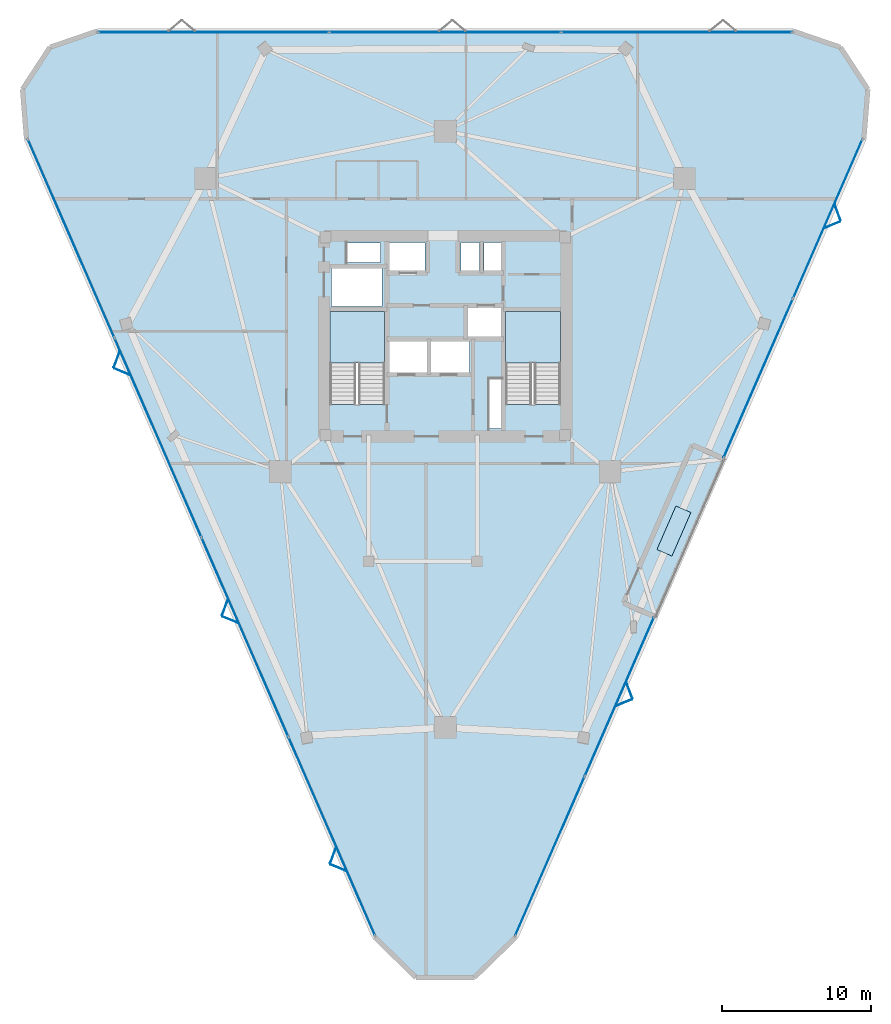
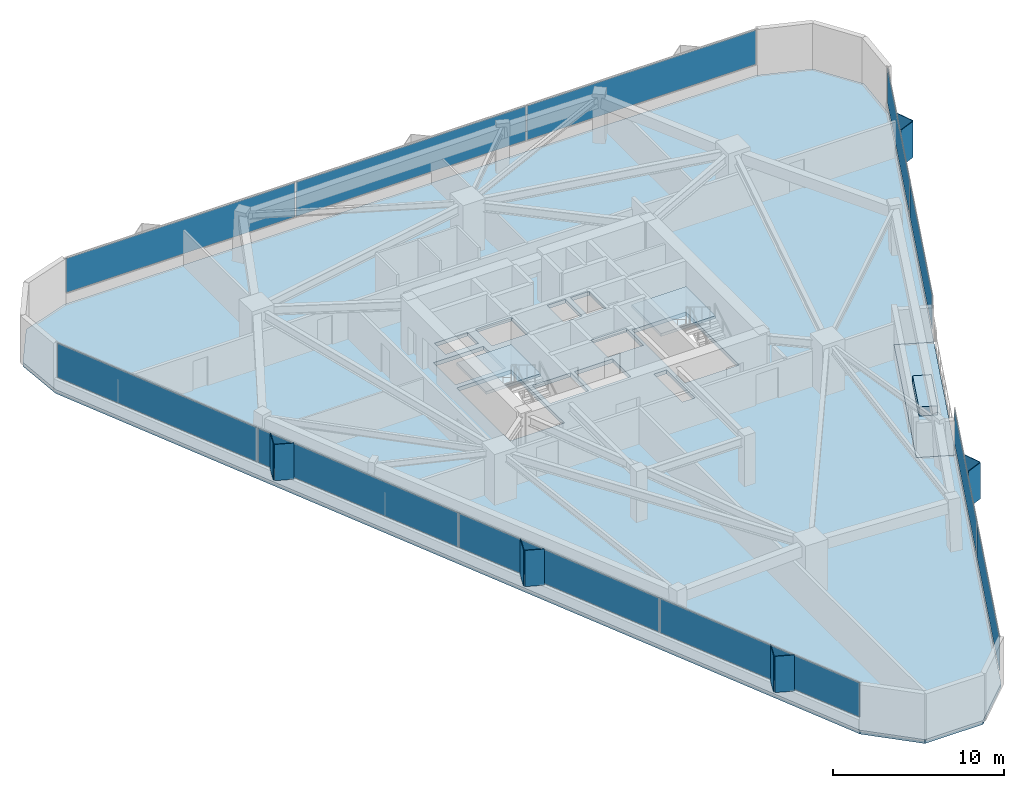
# One storey, part 8 of 11: 22 plates, 4 slabs, 6 elements without a shape of their own.
"""IFC4 building model written with IfcOpenShell, lengths in metres."""

from ifc_helpers import new_model, si_unit, direction, frame, origin, origin_2d, place, context, subcontext, project, spatial, polyline, rectangle, outline, extrude, material, layer, layer_set, type_object, element, aggregate, save


model = new_model("IFC4")

# Units and contexts
model_context = context("Model", 3, precision=1e-05, world=origin(), true_north=direction((0.0, 1.0)))
body_context = subcontext(model_context, "Body", "Model", "MODEL_VIEW")
ifc_project = project(units=[si_unit("LENGTHUNIT", "METRE"), si_unit("AREAUNIT", "SQUARE_METRE"), si_unit("VOLUMEUNIT", "CUBIC_METRE"), si_unit("PLANEANGLEUNIT", "RADIAN"), si_unit("MASSUNIT", "GRAM", prefix="KILO")], contexts=[model_context])

# Site, building, storey
site_placement = place(None, origin())
site = spatial("IfcSite", under=ifc_project, at=site_placement, CompositionType="ELEMENT")
building_placement = place(site_placement, origin())
building = spatial("IfcBuilding", under=site, at=building_placement, Name="Talyreon Biosciences Tower", CompositionType="ELEMENT")
storey_placement = place(building_placement, frame((0.0, 0.0, 149.10009765625)))
storey = spatial("IfcBuildingStorey", under=building, at=storey_placement, Name="L39", CompositionType="ELEMENT", Elevation=149.10009765625)

# Curtain wall, plates
ifc_material_1 = material(Name="Thermally broken aluminium and low-E glazing", Category="aluminium")
ifc_layer_1 = layer(ifc_material_1, 0.205078125)
ifc_layer_set_1 = layer_set([ifc_layer_1], Name="Thermally broken aluminium and low-E glazing")
curtain_wall_type = type_object("IfcCurtainWallType", Name="CurtainWall_SkyGardenLoggia", PredefinedType="NOTDEFINED", material=ifc_layer_set_1)
curtain_wall_1_placement = place(storey_placement, origin())
curtain_wall_1 = element("IfcCurtainWall", 1, at=curtain_wall_1_placement, inside=storey, type_object=curtain_wall_type, Name="L39 Unitised Curtain Wall FCW-L39-03", PredefinedType="NOTDEFINED")
ifc_material_2 = material(Name="Acoustic laminated low-E insulated glazing", Category="glass")
ifc_layer_2 = layer(ifc_material_2, 0.0380859375)
ifc_layer_set_2 = layer_set([ifc_layer_2], Name="Acoustic laminated low-E insulated glazing")
plate_type_1 = type_object("IfcPlateType", Name="CWGlazingPanel_38", PredefinedType="CURTAIN_PANEL", material=ifc_layer_set_2)
plate_1_placement = place(storey_placement, frame((50.423828125, 88.439453125, 0.874755859375), z_axis=(0.0, 0.0, 1.0), x_axis=(1.0, 0.0, 0.0)))
plate_1 = element("IfcPlate", 2, at=plate_1_placement, type_object=plate_type_1, Name="CW7 panel 1.1", PredefinedType="CURTAIN_PANEL", context=body_context, shape_type="SweptSolid", body=[
    extrude(rectangle(XDim=15.482421875, YDim=0.0380859375, at=origin_2d()), origin(), (0.0, 0.0, 1.0), 2.43505859375),
])
plate_2_placement = place(storey_placement, frame((66.0, 88.439453125, 0.874755859375), z_axis=(0.0, 0.0, 1.0), x_axis=(1.0, 0.0, 0.0)))
plate_2 = element("IfcPlate", 3, at=plate_2_placement, type_object=plate_type_1, Name="CW7 panel 2.1", PredefinedType="CURTAIN_PANEL", context=body_context, shape_type="SweptSolid", body=[
    extrude(rectangle(XDim=15.519775390625, YDim=0.0380859375, at=origin_2d()), origin(), (0.0, 0.0, 1.0), 2.43505859375),
])
plate_3_placement = place(storey_placement, frame((81.576171875, 88.439453125, 0.874755859375), z_axis=(0.0, 0.0, 1.0), x_axis=(1.0, 0.0, 0.0)))
plate_3 = element("IfcPlate", 4, at=plate_3_placement, type_object=plate_type_1, Name="CW7 panel 3.1", PredefinedType="CURTAIN_PANEL", context=body_context, shape_type="SweptSolid", body=[
    extrude(rectangle(XDim=15.482421875, YDim=0.0380859375, at=origin_2d()), origin(), (0.0, 0.0, 1.0), 2.43505859375),
])
aggregate(curtain_wall_1, [plate_1, plate_2, plate_3])

curtain_wall_2_placement = place(storey_placement, origin())
curtain_wall_2 = element("IfcCurtainWall", 5, at=curtain_wall_2_placement, inside=storey, type_object=curtain_wall_type, Name="L39 Unitised Curtain Wall FCW-L39-07", PredefinedType="NOTDEFINED")
plate_4_placement = place(storey_placement, frame((91.733642578125, 75.87890625, 0.874755859375), z_axis=(0.0, 0.0, 1.0), x_axis=(-0.399697916434, -0.916646919811, 0.0)))
plate_4 = element("IfcPlate", 6, at=plate_4_placement, type_object=plate_type_1, Name="CW7 panel 1.1", PredefinedType="CURTAIN_PANEL", context=body_context, shape_type="SweptSolid", body=[
    extrude(rectangle(XDim=11.61865234375, YDim=0.0380859375, at=origin_2d()), origin(), (0.0, 0.0, 1.0), 2.43505859375),
])
plate_5_placement = place(storey_placement, frame((87.0595703125, 65.159912109375, 0.874755859375), z_axis=(0.0, 0.0, 1.0), x_axis=(-0.399697916434, -0.916646919811, 0.0)))
plate_5 = element("IfcPlate", 7, at=plate_5_placement, type_object=plate_type_1, Name="CW7 panel 2.1", PredefinedType="CURTAIN_PANEL", context=body_context, shape_type="SweptSolid", body=[
    extrude(rectangle(XDim=11.61865234375, YDim=0.0380859375, at=origin_2d()), origin(), (0.0, 0.0, 1.0), 2.43505859375),
])
aggregate(curtain_wall_2, [plate_4, plate_5])

curtain_wall_3_placement = place(storey_placement, origin())
curtain_wall_3 = element("IfcCurtainWall", 8, at=curtain_wall_3_placement, inside=storey, type_object=curtain_wall_type, Name="L39 Unitised Curtain Wall FCW-L39-11", PredefinedType="NOTDEFINED")
plate_6_placement = place(storey_placement, frame((77.71923828125, 43.739013671875, 0.874755859375), z_axis=(0.0, 0.0, 1.0), x_axis=(-0.399697916434, -0.916646919811, 0.0)))
plate_6 = element("IfcPlate", 9, at=plate_6_placement, type_object=plate_type_1, Name="CW7 panel 1.1", PredefinedType="CURTAIN_PANEL", context=body_context, shape_type="SweptSolid", body=[
    extrude(rectangle(XDim=11.61865234375, YDim=0.0380859375, at=origin_2d()), origin(), (0.0, 0.0, 1.0), 2.43505859375),
])
plate_7_placement = place(storey_placement, frame((73.045166015625, 33.02001953125, 0.874755859375), z_axis=(0.0, 0.0, 1.0), x_axis=(-0.399697916434, -0.916646919811, 0.0)))
plate_7 = element("IfcPlate", 10, at=plate_7_placement, type_object=plate_type_1, Name="CW7 panel 2.1", PredefinedType="CURTAIN_PANEL", context=body_context, shape_type="SweptSolid", body=[
    extrude(rectangle(XDim=11.61865234375, YDim=0.0380859375, at=origin_2d()), origin(), (0.0, 0.0, 1.0), 2.43505859375),
])
aggregate(curtain_wall_3, [plate_6, plate_7])

curtain_wall_4_placement = place(storey_placement, origin())
curtain_wall_4 = element("IfcCurtainWall", 11, at=curtain_wall_4_placement, inside=storey, type_object=curtain_wall_type, Name="L39 Unitised Curtain Wall FCW-L39-15", PredefinedType="NOTDEFINED")
plate_8_placement = place(storey_placement, frame((58.375244140625, 34.34912109375, 0.874755859375), z_axis=(0.0, 0.0, 1.0), x_axis=(-0.399698003034, 0.916646882049, 0.0)))
plate_8 = element("IfcPlate", 12, at=plate_8_placement, type_object=plate_type_1, Name="CW7 panel 1.1", PredefinedType="CURTAIN_PANEL", context=body_context, shape_type="SweptSolid", body=[
    extrude(rectangle(XDim=14.518798828125, YDim=0.0380859375, at=origin_2d()), origin(), (0.0, 0.0, 1.0), 2.43505859375),
])
plate_9_placement = place(storey_placement, frame((52.53466796875, 47.74365234375, 0.874755859375), z_axis=(0.0, 0.0, 1.0), x_axis=(-0.399698003034, 0.916646882049, 0.0)))
plate_9 = element("IfcPlate", 13, at=plate_9_placement, type_object=plate_type_1, Name="CW7 panel 2.1", PredefinedType="CURTAIN_PANEL", context=body_context, shape_type="SweptSolid", body=[
    extrude(rectangle(XDim=14.55615234375, YDim=0.0380859375, at=origin_2d()), origin(), (0.0, 0.0, 1.0), 2.43505859375),
])
plate_10_placement = place(storey_placement, frame((46.6865234375, 61.1552734375, 0.874755859375), z_axis=(0.0, 0.0, 1.0), x_axis=(-0.399698003034, 0.916646882049, 0.0)))
plate_10 = element("IfcPlate", 14, at=plate_10_placement, type_object=plate_type_1, Name="CW7 panel 3.1", PredefinedType="CURTAIN_PANEL", context=body_context, shape_type="SweptSolid", body=[
    extrude(rectangle(XDim=14.55615234375, YDim=0.0380859375, at=origin_2d()), origin(), (0.0, 0.0, 1.0), 2.43505859375),
])
plate_11_placement = place(storey_placement, frame((40.845947265625, 74.5498046875, 0.874755859375), z_axis=(0.0, 0.0, 1.0), x_axis=(-0.399698003034, 0.916646882049, 0.0)))
plate_11 = element("IfcPlate", 15, at=plate_11_placement, type_object=plate_type_1, Name="CW7 panel 4.1", PredefinedType="CURTAIN_PANEL", context=body_context, shape_type="SweptSolid", body=[
    extrude(rectangle(XDim=14.518798828125, YDim=0.0380859375, at=origin_2d()), origin(), (0.0, 0.0, 1.0), 2.43505859375),
])
aggregate(curtain_wall_4, [plate_8, plate_9, plate_10, plate_11])

# Plates
ifc_material_3 = material(Name="Ivory GFRC sunshade panel", Category="concrete")
ifc_layer_3 = layer(ifc_material_3, 0.044921875)
ifc_layer_set_3 = layer_set([ifc_layer_3], Name="Ivory GFRC sunshade panel")
plate_type_2 = type_object("IfcPlateType", Name="FoldedVSunshade_SunFace_SUNSHADE", PredefinedType="USERDEFINED", material=ifc_layer_set_3)
for number, where, z_axis, x_axis, name in (
    (16, (92.402587890625, 76.31201171875, 0.7900390625), (0.0, 0.0, 1.0), (0.349242662946, -0.937032316614, 0.0), "L39 Folded V-Sunshade Panel 07.01L"),
    (17, (92.042724609375, 75.487060546875, 0.7900390625), (0.0, 0.0, 1.0), (-0.92427310868, -0.381731869995, 0.0), "L39 Folded V-Sunshade Panel 07.01R"),
    (18, (78.38818359375, 44.172119140625, 0.7900390625), (0.0, 0.0, 1.0), (0.349242662946, -0.937032316614, 0.0), "L39 Folded V-Sunshade Panel 11.01L"),
    (19, (78.0283203125, 43.34716796875, 0.7900390625), (0.0, 0.0, 1.0), (-0.92427310868, -0.381731869995, 0.0), "L39 Folded V-Sunshade Panel 11.01R"),
    (20, (58.81689453125, 32.235107421875, 0.7900390625), (0.0, 0.0, 1.0), (-0.92427310868, 0.381731869995, 0.0), "L39 Folded V-Sunshade Panel 15.01L"),
    (21, (58.457275390625, 33.060302734375, 0.7900390625), (0.0, 0.0, 1.0), (0.349242662946, 0.937032316614, 0.0), "L39 Folded V-Sunshade Panel 15.01R"),
    (22, (51.54248046875, 48.918212890625, 0.7900390625), (0.0, 0.0, 1.0), (-0.92427310868, 0.381731869995, 0.0), "L39 Folded V-Sunshade Panel 15.02L"),
    (23, (51.182861328125, 49.7431640625, 0.7900390625), (0.0, 0.0, 1.0), (0.349242662946, 0.937032316614, 0.0), "L39 Folded V-Sunshade Panel 15.02R"),
    (24, (44.26806640625, 65.601318359375, 0.7900390625), (0.0, 0.0, 1.0), (-0.92427310868, 0.381731869995, 0.0), "L39 Folded V-Sunshade Panel 15.03L"),
    (25, (43.908203125, 66.426025390625, 0.7900390625), (0.0, 0.0, 1.0), (0.349242662946, 0.937032316614, 0.0), "L39 Folded V-Sunshade Panel 15.03R"),
):
    element("IfcPlate", number, at=place(storey_placement, frame(where, z_axis=z_axis, x_axis=x_axis)), inside=storey, type_object=plate_type_2, Name=name, ObjectType="SUNSHADE", PredefinedType="USERDEFINED", context=body_context, shape_type="SweptSolid", body=[
        extrude(rectangle(XDim=1.14990234375, YDim=0.044921875, at=origin_2d()), origin(), (0.0, 0.0, 1.0), 2.5849609375),
    ])
ifc_material_4 = material(Name="Terracotta-faced precast planter Concrete C40/50", Category="masonry")
ifc_layer_4 = layer(ifc_material_4, 0.64990234375)
ifc_layer_set_4 = layer_set([ifc_layer_4], Name="Terracotta-faced precast planter Concrete C40/50")
plate_type_3 = type_object("IfcPlateType", Name="SkyGardenPlanter_PLANTER", PredefinedType="USERDEFINED", material=ifc_layer_set_4)
plate_12_placement = place(storey_placement, frame((81.3857421875, 54.88720703125, 0.0), z_axis=(0.0, 0.0, 1.0), x_axis=(0.399693194693, 0.91664897868, 0.0)))
element("IfcPlate", 26, at=plate_12_placement, inside=storey, type_object=plate_type_3, Name="L39 Sky-Garden Structural Planter", ObjectType="PLANTER", PredefinedType="USERDEFINED", context=body_context, shape_type="SweptSolid", body=[
    extrude(rectangle(XDim=3.199951171875, YDim=1.10009765625, at=origin_2d()), origin(), (0.0, 0.0, 1.0), 0.64990234375),
])

# Slab
ifc_material_5 = material(Name="Concrete C40/50", Category="concrete")
ifc_layer_5 = layer(ifc_material_5, 0.330078125)
ifc_layer_set_5 = layer_set([ifc_layer_5], Name="Concrete C40/50")
slab_type_1 = type_object("IfcSlabType", Name="SkyGardenTerraceRoof_330", PredefinedType="ROOF", material=ifc_layer_set_5)
slab_1_placement = place(storey_placement, frame((0.0, 0.0, -0.330078125)))
element("IfcSlab", 27, at=slab_1_placement, inside=storey, type_object=slab_type_1, Name="L39 Planted Sky-Garden Terrace Slab", PredefinedType="ROOF", context=body_context, shape_type="SweptSolid", body=[
    extrude(outline(polyline([(80.14453125, 49.10107421875), (77.990478515625, 50.040283203125), (82.626953125, 60.67333984375), (84.781005859375, 59.734130859375), (80.14453125, 49.10107421875)])), origin(), (0.0, 0.0, 1.0), 0.330078125),
])

# Stair, slab
stair_type = type_object("IfcStairType", Name="DoglegEscapeStair_3650", PredefinedType="HALF_TURN_STAIR", material=ifc_material_5)
stair_1_placement = place(storey_placement, origin())
stair_1 = element("IfcStair", 28, at=stair_1_placement, inside=storey, type_object=stair_type, Name="L39 Core Escape Stair 1", PredefinedType="HALF_TURN_STAIR")
ifc_layer_6 = layer(ifc_material_5, 0.199951171875)
ifc_layer_set_6 = layer_set([ifc_layer_6], Name="Concrete C40/50")
slab_type_2 = type_object("IfcSlabType", Name="StairLandingSlab_200", PredefinedType="LANDING", material=ifc_layer_set_6)
slab_2_placement = place(storey_placement, frame((0.0, 0.0, 1.625)))
slab_2 = element("IfcSlab", 29, at=slab_2_placement, type_object=slab_type_2, Name="ST-1 landing 1", PredefinedType="LANDING", context=body_context, shape_type="SweptSolid", body=[
    extrude(outline(polyline([(61.929931640625, 66.199951171875), (61.929931640625, 69.64990234375), (58.25, 69.64990234375), (58.25, 66.199951171875), (61.929931640625, 66.199951171875)])), origin(), (0.0, 0.0, 1.0), 0.199951171875),
])
aggregate(stair_1, [slab_2])

stair_2_placement = place(storey_placement, origin())
stair_2 = element("IfcStair", 30, at=stair_2_placement, inside=storey, type_object=stair_type, Name="L39 Core Escape Stair 2", PredefinedType="HALF_TURN_STAIR")
slab_3_placement = place(storey_placement, frame((0.0, 0.0, 1.625)))
slab_3 = element("IfcSlab", 31, at=slab_3_placement, type_object=slab_type_2, Name="ST-2 landing 1", PredefinedType="LANDING", context=body_context, shape_type="SweptSolid", body=[
    extrude(outline(polyline([(73.75, 66.199951171875), (73.75, 69.64990234375), (70.070068359375, 69.64990234375), (70.070068359375, 66.199951171875), (73.75, 66.199951171875)])), origin(), (0.0, 0.0, 1.0), 0.199951171875),
])
aggregate(stair_2, [slab_3])

# Slab
ifc_layer_7 = layer(ifc_material_5, 0.27490234375)
ifc_layer_set_7 = layer_set([ifc_layer_7], Name="Concrete C40/50")
slab_type_3 = type_object("IfcSlabType", Name="WetLabFloorSlab_275", PredefinedType="FLOOR", material=ifc_layer_set_7)
slab_4_placement = place(storey_placement, frame((0.0, 0.0, -0.275146484375)))
element("IfcSlab", 32, at=slab_4_placement, inside=storey, type_object=slab_type_3, Name="L39 Structural Floor Slab", PredefinedType="FLOOR", context=body_context, shape_type="SweptSolid", body=[
    extrude(outline(polyline([(37.841064453125, 81.240966796875), (37.568603515625, 84.603271484375), (39.416748046875, 87.42529296875), (42.607666015625, 88.519287109375), (89.392333984375, 88.519287109375), (92.583251953125, 87.42529296875), (94.431396484375, 84.603271484375), (94.158935546875, 81.240966796875), (84.781005859375, 59.734130859375), (82.626953125, 60.67333984375), (77.990478515625, 50.040283203125), (80.14453125, 49.10107421875), (70.7666015625, 27.59423828125), (67.960205078125, 24.856201171875), (64.039794921875, 24.856201171875), (61.2333984375, 27.59423828125), (37.841064453125, 81.240966796875)]), holes=[polyline([(61.929931640625, 69.64990234375), (61.929931640625, 63.407958984375), (58.25, 63.407958984375), (58.25, 69.64990234375), (61.929931640625, 69.64990234375)]), polyline([(64.800048828125, 67.64990234375), (64.800048828125, 65.550048828125), (62.199951171875, 65.550048828125), (62.199951171875, 67.64990234375), (64.800048828125, 67.64990234375)]), polyline([(67.64990234375, 67.64990234375), (67.64990234375, 65.550048828125), (65.050048828125, 65.550048828125), (65.050048828125, 67.64990234375), (67.64990234375, 67.64990234375)]), polyline([(61.75, 69.97998046875), (58.35009765625, 69.97998046875), (58.35009765625, 72.550048828125), (61.75, 72.550048828125), (61.75, 69.97998046875)]), polyline([(64.64990234375, 72.35009765625), (62.199951171875, 72.35009765625), (62.199951171875, 74.300048828125), (64.64990234375, 74.300048828125), (64.64990234375, 72.35009765625)]), polyline([(61.64990234375, 74.25), (61.64990234375, 72.9599609375), (59.39990234375, 72.9599609375), (59.39990234375, 74.25), (61.64990234375, 74.25)]), polyline([(69.820068359375, 61.800048828125), (68.9599609375, 61.800048828125), (68.9599609375, 65.10009765625), (69.820068359375, 65.10009765625), (69.820068359375, 61.800048828125)]), polyline([(73.75, 63.407958984375), (70.070068359375, 63.407958984375), (70.070068359375, 69.64990234375), (73.75, 69.64990234375), (73.75, 63.407958984375)]), polyline([(69.89990234375, 69.949951171875), (69.89990234375, 67.949951171875), (67.5, 67.949951171875), (67.5, 69.949951171875), (69.89990234375, 69.949951171875)]), polyline([(68.300048828125, 72.35009765625), (67.050048828125, 72.35009765625), (67.050048828125, 74.300048828125), (68.300048828125, 74.300048828125), (68.300048828125, 72.35009765625)]), polyline([(69.919921875, 72.35009765625), (68.6201171875, 72.35009765625), (68.6201171875, 74.300048828125), (69.919921875, 74.300048828125), (69.919921875, 72.35009765625)])]), origin(), (0.0, 0.0, 1.0), 0.275146484375),
])

save(model, "model.ifc")
